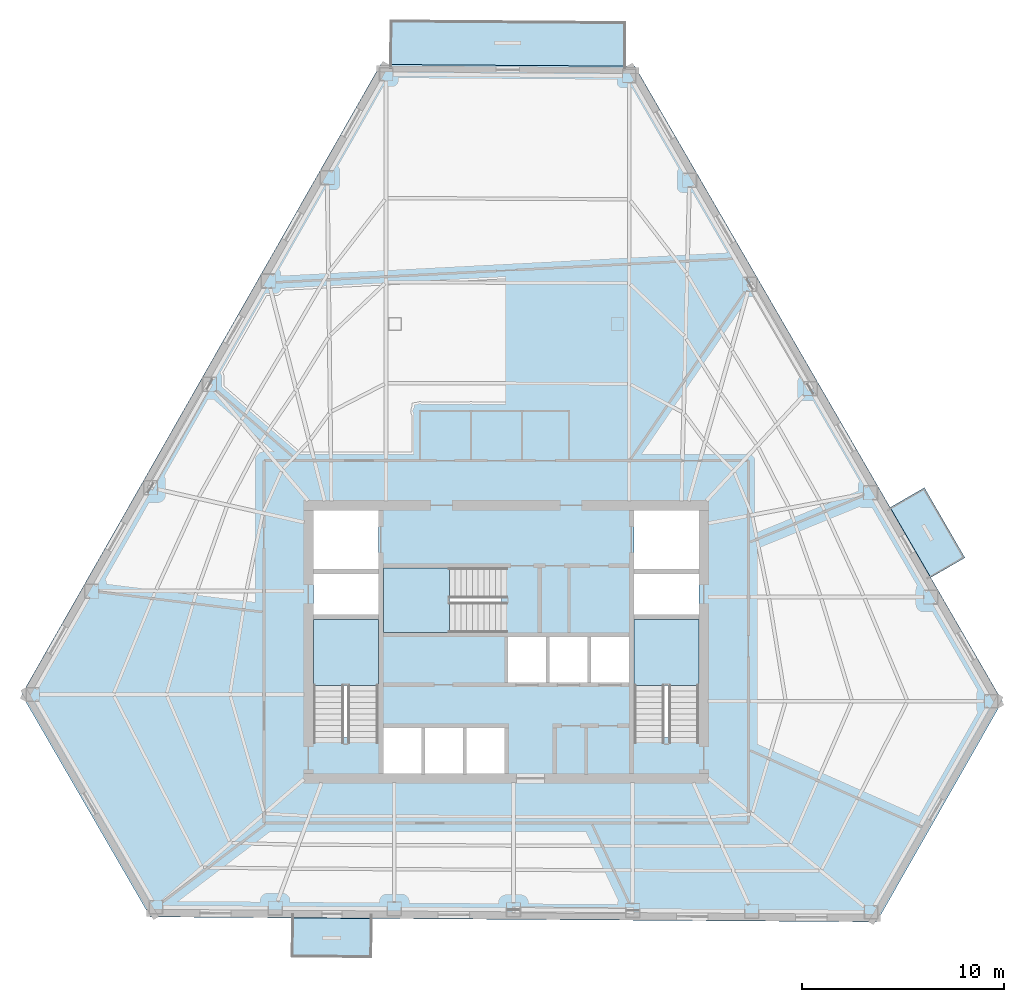
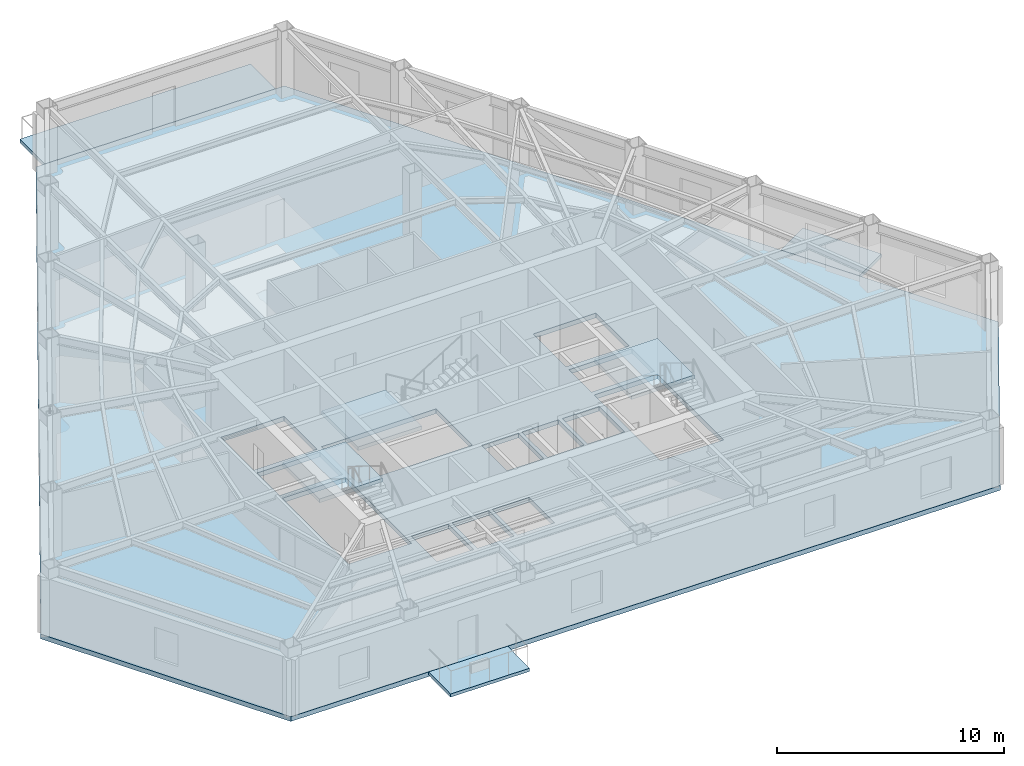
# One storey, part 3 of 9: 7 slabs, 3 elements without a shape of their own.
"""IFC4 building model written with IfcOpenShell, lengths in metres."""

import ifcopenshell
import ifcopenshell.guid

model = None  # the IFC model being written
_history = None  # IfcOwnerHistory: only IFC2X3 demands one
_inside = {}  # id of a spatial element -> (the spatial element, [elements in it])
_under = {}  # id of a project, library or spatial element -> (it, [spatial elements below it])
_declared = {}  # id of a project -> (the project, [libraries it declares])
_typed = {}  # id of a type object -> (the type object, [elements of that type])
_made_of = {}  # id of a material, layer set ... -> (it, [elements and type objects made of it])


def new_model(schema):
    """Start an empty IFC model of exactly this schema.

    Asked for "IFC4X3", IfcOpenShell would pick the latest addendum, in which some entities
    have other attributes; the version numbers below select the first issue.
    IFC2X3 requires an IfcOwnerHistory on every rooted entity: one is made here for all.
    """
    global model, _history
    if schema == "IFC4X3":
        model = ifcopenshell.file(schema_version=(4, 3, 0, 0))
    else:
        model = ifcopenshell.file(schema=schema)
    _inside.clear()
    _under.clear()
    _declared.clear()
    _typed.clear()
    _made_of.clear()
    _history = None
    if model.schema == "IFC2X3":
        org = make("IfcOrganization", Name="unknown")
        user = make(
            "IfcPersonAndOrganization",
            ThePerson=make("IfcPerson", FamilyName="unknown"),
            TheOrganization=org,
        )
        app = make(
            "IfcApplication",
            ApplicationDeveloper=org,
            Version="unknown",
            ApplicationFullName="unknown",
            ApplicationIdentifier="unknown",
        )
        _history = make(
            "IfcOwnerHistory",
            OwningUser=user,
            OwningApplication=app,
            ChangeAction="ADDED",
            CreationDate=0,
        )
    return model


def make(cls, **values):
    """One entity of the class cls with the attributes given. An attribute that is None is left unset."""
    return model.create_entity(
        cls, **{name: value for name, value in values.items() if value is not None}
    )


def rooted(cls, **values):
    """An entity with a GlobalId (a new one), such as an element, a storey or a relation."""
    return make(cls, GlobalId=ifcopenshell.guid.new(), OwnerHistory=_history, **values)


def si_unit(unit_type, name, prefix=None):
    """IfcSIUnit, for example si_unit("LENGTHUNIT", "METRE", prefix="MILLI")."""
    return make("IfcSIUnit", UnitType=unit_type, Prefix=prefix, Name=name)


def assignment(units):
    """IfcUnitAssignment: the units of a project."""
    return None if units is None else make("IfcUnitAssignment", Units=units)


def point(xyz):
    """IfcCartesianPoint."""
    return None if xyz is None else make("IfcCartesianPoint", Coordinates=xyz)


def direction(xyz):
    """IfcDirection."""
    return None if xyz is None else make("IfcDirection", DirectionRatios=xyz)


def frame(location, z_axis=None, x_axis=None):
    """IfcAxis2Placement3D, a coordinate frame: its origin and axes. An axis left out is left unset."""
    return make(
        "IfcAxis2Placement3D",
        Location=point(location),
        Axis=direction(z_axis),
        RefDirection=direction(x_axis),
    )


def origin():
    """The frame at (0, 0, 0) with its axes left unset."""
    return frame((0.0, 0.0, 0.0))


def place(relative_to, where):
    """IfcLocalPlacement: puts the frame where relative to a parent placement (None: the world)."""
    return make(
        "IfcLocalPlacement", PlacementRelTo=relative_to, RelativePlacement=where
    )


def context(
    kind, dimensions, precision=None, world=None, true_north=None, identifier=None
):
    """IfcGeometricRepresentationContext, for example the 3D "Model" context."""
    return make(
        "IfcGeometricRepresentationContext",
        ContextIdentifier=identifier,
        ContextType=kind,
        CoordinateSpaceDimension=dimensions,
        Precision=precision,
        WorldCoordinateSystem=world,
        TrueNorth=true_north,
    )


def subcontext(parent, identifier, kind, view, scale=None):
    """IfcGeometricRepresentationSubContext, for example "Body" below "Model"."""
    return make(
        "IfcGeometricRepresentationSubContext",
        ContextIdentifier=identifier,
        ContextType=kind,
        ParentContext=parent,
        TargetScale=scale,
        TargetView=view,
    )


def project(units=None, contexts=None):
    """IfcProject with its units and contexts."""
    return rooted(
        "IfcProject",
        Name="project",
        RepresentationContexts=contexts,
        UnitsInContext=assignment(units),
    )


def spatial(cls, under=None, at=None, **own):
    """A site, building, storey or space (cls), placed at a placement, below another one or the project."""
    s = rooted(cls, ObjectPlacement=at, **own)
    if under is not None:
        _under.setdefault(under.id(), (under, []))[1].append(s)
    return s


def polyline(points):
    """IfcPolyline through the points."""
    return make("IfcPolyline", Points=[point(p) for p in points])


def outline(outer, holes=None, kind="AREA"):
    """IfcArbitraryClosedProfileDef: a profile drawn as a closed curve; with holes, ...WithVoids."""
    if holes is None:
        return make("IfcArbitraryClosedProfileDef", ProfileType=kind, OuterCurve=outer)
    return make(
        "IfcArbitraryProfileDefWithVoids",
        ProfileType=kind,
        OuterCurve=outer,
        InnerCurves=holes,
    )


def extrude(swept, where, along, depth):
    """IfcExtrudedAreaSolid: the profile swept, set in the frame where, extruded along a direction by depth."""
    return make(
        "IfcExtrudedAreaSolid",
        SweptArea=swept,
        Position=where,
        ExtrudedDirection=direction(along),
        Depth=depth,
    )


def shape(context_of_items, identifier, shape_type, items):
    """IfcShapeRepresentation: the items that make up one representation, for example the "Body"."""
    return make(
        "IfcShapeRepresentation",
        ContextOfItems=context_of_items,
        RepresentationIdentifier=identifier,
        RepresentationType=shape_type,
        Items=items,
    )


def material(Name=None, Category=None):
    """IfcMaterial."""
    return make("IfcMaterial", Name=Name, Category=Category)


def layer(
    of_material, thickness, ventilated=None, Name=None, Category=None, Priority=None
):
    """IfcMaterialLayer: one layer of a wall or slab, of a material (None: an air gap)."""
    return make(
        "IfcMaterialLayer",
        Material=of_material,
        LayerThickness=thickness,
        IsVentilated=ventilated,
        Name=Name,
        Category=Category,
        Priority=Priority,
    )


def layer_set(layers, Name=None):
    """IfcMaterialLayerSet."""
    return make("IfcMaterialLayerSet", MaterialLayers=layers, LayerSetName=Name)


def made_of(thing, what):
    """Note that an element or type object is made of a material, layer set ...; save() writes the relation."""
    if what is not None:
        _made_of.setdefault(what.id(), (what, []))[1].append(thing)
    return thing


def type_object(cls, material=None, **own):
    """A type object (cls), such as IfcWallType, which elements share."""
    return made_of(rooted(cls, **own), material)


def element(
    cls,
    number,
    at=None,
    inside=None,
    cuts=None,
    type_object=None,
    material=None,
    context=None,
    identifier="Body",
    shape_type=None,
    held_by="IfcProductDefinitionShape",
    body=None,
    shapes=None,
    **own,
):
    """One element of the class cls, such as IfcWall. Its Tag is "e" and its number.

    at: its placement. inside: the storey or other place that contains it. cuts: it is an
    opening in that element (IfcRelVoidsElement). A single representation is given by context,
    identifier, shape_type and body (its items); several are given by shapes. held_by: the class
    of the entity that holds the representations. save() writes the other relations.
    """
    e = rooted(cls, Tag="e%d" % number, ObjectPlacement=at, **own)
    if body is not None:
        shapes = [shape(context, identifier, shape_type, body)]
    if shapes is not None:
        e.Representation = make(held_by, Representations=shapes)
    if inside is not None:
        _inside.setdefault(inside.id(), (inside, []))[1].append(e)
    if cuts is not None:
        rooted(
            "IfcRelVoidsElement", RelatingBuildingElement=cuts, RelatedOpeningElement=e
        )
    if type_object is not None:
        _typed.setdefault(type_object.id(), (type_object, []))[1].append(e)
    return made_of(e, material)


def aggregate(whole, parts):
    """IfcRelAggregates: a whole, such as a stair, and the parts it consists of."""
    return rooted("IfcRelAggregates", RelatingObject=whole, RelatedObjects=parts)


def save(model, path):
    """Write the relations noted so far, then the file.

    IfcRelAggregates (storeys below a building ...), IfcRelContainedInSpatialStructure (elements
    in a storey), IfcRelDefinesByType, IfcRelAssociatesMaterial and IfcRelDeclares: one each for
    every whole, place, type object, material and project.
    """
    for whole, parts in _under.values():
        aggregate(whole, parts)
    for where, things in _inside.values():
        rooted(
            "IfcRelContainedInSpatialStructure",
            RelatedElements=things,
            RelatingStructure=where,
        )
    for kind, things in _typed.values():
        rooted("IfcRelDefinesByType", RelatedObjects=things, RelatingType=kind)
    for what, things in _made_of.values():
        rooted("IfcRelAssociatesMaterial", RelatedObjects=things, RelatingMaterial=what)
    for by, libraries in _declared.values():
        rooted("IfcRelDeclares", RelatingContext=by, RelatedDefinitions=libraries)
    model.write(path)


model = new_model("IFC4")

# Units and contexts
model_context = context("Model", 3, precision=1e-05, world=origin(), true_north=direction((0.0, 1.0)))
body_context = subcontext(model_context, "Body", "Model", "MODEL_VIEW")
ifc_project = project(units=[si_unit("LENGTHUNIT", "METRE"), si_unit("AREAUNIT", "SQUARE_METRE"), si_unit("VOLUMEUNIT", "CUBIC_METRE"), si_unit("PLANEANGLEUNIT", "RADIAN"), si_unit("MASSUNIT", "GRAM", prefix="KILO")], contexts=[model_context])

# Site, building, storey
site_placement = place(None, origin())
site = spatial("IfcSite", under=ifc_project, at=site_placement, CompositionType="ELEMENT")
building_placement = place(site_placement, origin())
building = spatial("IfcBuilding", under=site, at=building_placement, Name="Kavelnor Concourse Tower", CompositionType="ELEMENT")
storey_placement = place(building_placement, frame((0.0, 0.0, 112.449951171875)))
storey = spatial("IfcBuildingStorey", under=building, at=storey_placement, Name="L28", CompositionType="ELEMENT", Elevation=112.449951171875)

# Slabs
ifc_material = material(Name="Concrete C40/50", Category="concrete")
ifc_layer_1 = layer(ifc_material, 0.169921875, Name="Concrete C40/50")
ifc_layer_set_1 = layer_set([ifc_layer_1], Name="Concrete C40/50")
slab_type_1 = type_object("IfcSlabType", Name="SLB-BALCONY-170", PredefinedType="FLOOR", material=ifc_layer_set_1)
slab_1_placement = place(storey_placement, frame((0.0, 0.0, -0.169921875)))
element("IfcSlab", 1, at=slab_1_placement, inside=storey, type_object=slab_type_1, Name="L28 Cantilevered Tree Balcony Slab 1", PredefinedType="FLOOR", context=body_context, shape_type="SweptSolid", body=[
    extrude(outline(polyline([(31.376708984375, 0.48291015625), (27.376708984375, 0.51025390625), (27.39013671875, 2.460205078125), (31.39013671875, 2.432861328125), (31.376708984375, 0.48291015625)])), origin(), (0.0, 0.0, 1.0), 0.169921875),
])
slab_2_placement = place(storey_placement, frame((0.0, 0.0, -0.169921875)))
element("IfcSlab", 2, at=slab_2_placement, inside=storey, type_object=slab_type_1, Name="L28 Cantilevered Tree Balcony Slab 2", PredefinedType="FLOOR", context=body_context, shape_type="SweptSolid", body=[
    extrude(outline(polyline([(58.660400390625, 23.716552734375), (60.663818359375, 20.25439453125), (58.975830078125, 19.277587890625), (56.97265625, 22.739990234375), (58.660400390625, 23.716552734375)])), origin(), (0.0, 0.0, 1.0), 0.169921875),
])

# Stair, slab
stair_type = type_object("IfcStairType", Name="STR-CORE-1500", PredefinedType="HALF_TURN_STAIR", material=ifc_material)
stair_1_placement = place(storey_placement, origin())
stair_1 = element("IfcStair", 3, at=stair_1_placement, inside=storey, type_object=stair_type, Name="L28 ST1", PredefinedType="HALF_TURN_STAIR")
ifc_layer_2 = layer(ifc_material, 0.199951171875, Name="Concrete C40/50")
ifc_layer_set_2 = layer_set([ifc_layer_2], Name="Concrete C40/50")
slab_type_2 = type_object("IfcSlabType", Name="SLB-LANDING-200", PredefinedType="LANDING", material=ifc_layer_set_2)
slab_3_placement = place(storey_placement, frame((0.0, 0.0, 1.72509765625)))
slab_3 = element("IfcSlab", 4, at=slab_3_placement, type_object=slab_type_2, Name="ST1 landing 1", PredefinedType="LANDING", context=body_context, shape_type="SweptSolid", body=[
    extrude(outline(polyline([(31.679931640625, 13.949951171875), (31.679931640625, 17.199951171875), (28.47998046875, 17.199951171875), (28.47998046875, 13.949951171875), (31.679931640625, 13.949951171875)])), origin(), (0.0, 0.0, 1.0), 0.199951171875),
])
aggregate(stair_1, [slab_3])

stair_2_placement = place(storey_placement, origin())
stair_2 = element("IfcStair", 5, at=stair_2_placement, inside=storey, type_object=stair_type, Name="L28 ST2", PredefinedType="HALF_TURN_STAIR")
slab_4_placement = place(storey_placement, frame((0.0, 0.0, 1.72509765625)))
slab_4 = element("IfcSlab", 6, at=slab_4_placement, type_object=slab_type_2, Name="ST2 landing 1", PredefinedType="LANDING", context=body_context, shape_type="SweptSolid", body=[
    extrude(outline(polyline([(47.52001953125, 13.949951171875), (47.52001953125, 17.199951171875), (44.320068359375, 17.199951171875), (44.320068359375, 13.949951171875), (47.52001953125, 13.949951171875)])), origin(), (0.0, 0.0, 1.0), 0.199951171875),
])
aggregate(stair_2, [slab_4])

stair_3_placement = place(storey_placement, origin())
stair_3 = element("IfcStair", 7, at=stair_3_placement, inside=storey, type_object=stair_type, Name="L28 ST3", PredefinedType="HALF_TURN_STAIR")
slab_5_placement = place(storey_placement, frame((0.0, 0.0, 1.72509765625)))
slab_5 = element("IfcSlab", 8, at=slab_5_placement, type_object=slab_type_2, Name="ST3 landing 1", PredefinedType="LANDING", context=body_context, shape_type="SweptSolid", body=[
    extrude(outline(polyline([(35.18994140625, 19.760009765625), (31.93994140625, 19.760009765625), (31.93994140625, 16.56005859375), (35.18994140625, 16.56005859375), (35.18994140625, 19.760009765625)])), origin(), (0.0, 0.0, 1.0), 0.199951171875),
])
aggregate(stair_3, [slab_5])

# Slabs
ifc_layer_3 = layer(ifc_material, 0.25, Name="Concrete C40/50")
ifc_layer_set_3 = layer_set([ifc_layer_3], Name="Concrete C40/50")
slab_type_3 = type_object("IfcSlabType", Name="SLB-OFFICE-250", PredefinedType="FLOOR", material=ifc_layer_set_3)
slab_6_placement = place(storey_placement, frame((0.0, 0.0, -0.25)))
element("IfcSlab", 9, at=slab_6_placement, inside=storey, type_object=slab_type_3, Name="L28 Composite Structural Floor Slab", PredefinedType="FLOOR", context=body_context, shape_type="SweptSolid", body=[
    extrude(outline(polyline([(44.358154296875, 44.540771484375), (31.790771484375, 44.626708984375), (14.060791015625, 13.49609375), (20.4189453125, 2.5078125), (56.3037109375, 2.262451171875), (62.512939453125, 13.164794921875), (44.358154296875, 44.540771484375)]), holes=[polyline([(28.47998046875, 11.3798828125), (31.679931640625, 11.3798828125), (31.679931640625, 17.199951171875), (28.47998046875, 17.199951171875), (28.47998046875, 11.3798828125)]), polyline([(44.320068359375, 11.3798828125), (47.52001953125, 11.3798828125), (47.52001953125, 17.199951171875), (44.320068359375, 17.199951171875), (44.320068359375, 11.3798828125)]), polyline([(31.93994140625, 16.56005859375), (37.760009765625, 16.56005859375), (37.760009765625, 19.760009765625), (31.93994140625, 19.760009765625), (31.93994140625, 16.56005859375)]), polyline([(28.47998046875, 19.699951171875), (31.679931640625, 19.699951171875), (31.679931640625, 22.60009765625), (28.47998046875, 22.60009765625), (28.47998046875, 19.699951171875)]), polyline([(44.320068359375, 19.699951171875), (47.52001953125, 19.699951171875), (47.52001953125, 22.60009765625), (44.320068359375, 22.60009765625), (44.320068359375, 19.699951171875)]), polyline([(38.090087890625, 14.10009765625), (39.9599609375, 14.10009765625), (39.9599609375, 16.340087890625), (38.090087890625, 16.340087890625), (38.090087890625, 14.10009765625)]), polyline([(40.139892578125, 14.10009765625), (42.010009765625, 14.10009765625), (42.010009765625, 16.340087890625), (40.139892578125, 16.340087890625), (40.139892578125, 14.10009765625)]), polyline([(42.18994140625, 14.10009765625), (44.06005859375, 14.10009765625), (44.06005859375, 16.340087890625), (42.18994140625, 16.340087890625), (42.18994140625, 14.10009765625)]), polyline([(31.93994140625, 9.60009765625), (33.81005859375, 9.60009765625), (33.81005859375, 11.840087890625), (31.93994140625, 11.840087890625), (31.93994140625, 9.60009765625)]), polyline([(33.989990234375, 9.60009765625), (35.860107421875, 9.60009765625), (35.860107421875, 11.840087890625), (33.989990234375, 11.840087890625), (33.989990234375, 9.60009765625)]), polyline([(36.0400390625, 9.60009765625), (37.909912109375, 9.60009765625), (37.909912109375, 11.840087890625), (36.0400390625, 11.840087890625), (36.0400390625, 9.60009765625)]), polyline([(28.47998046875, 17.4599609375), (31.679931640625, 17.4599609375), (31.679931640625, 19.43994140625), (28.47998046875, 19.43994140625), (28.47998046875, 17.4599609375)]), polyline([(44.320068359375, 17.4599609375), (47.52001953125, 17.4599609375), (47.52001953125, 19.43994140625), (44.320068359375, 19.43994140625), (44.320068359375, 17.4599609375)])]), origin(), (0.0, 0.0, 1.0), 0.25),
])
ifc_layer_4 = layer(ifc_material, 0.18994140625, Name="Concrete C40/50")
ifc_layer_set_4 = layer_set([ifc_layer_4], Name="Concrete C40/50")
slab_type_4 = type_object("IfcSlabType", Name="SLB-TERRACE-190", PredefinedType="FLOOR", material=ifc_layer_set_4)
slab_7_placement = place(storey_placement, frame((0.0, 0.0, -0.18994140625)))
element("IfcSlab", 10, at=slab_7_placement, inside=storey, type_object=slab_type_4, Name="L28 Spiralling Sky Terrace Slab", PredefinedType="FLOOR", context=body_context, shape_type="SweptSolid", body=[
    extrude(outline(polyline([(32.255859375, 46.823486328125), (43.923095703125, 46.74365234375), (43.908203125, 44.543701171875), (32.24072265625, 44.62353515625), (32.255859375, 46.823486328125)])), origin(), (0.0, 0.0, 1.0), 0.18994140625),
])

save(model, "model.ifc")
